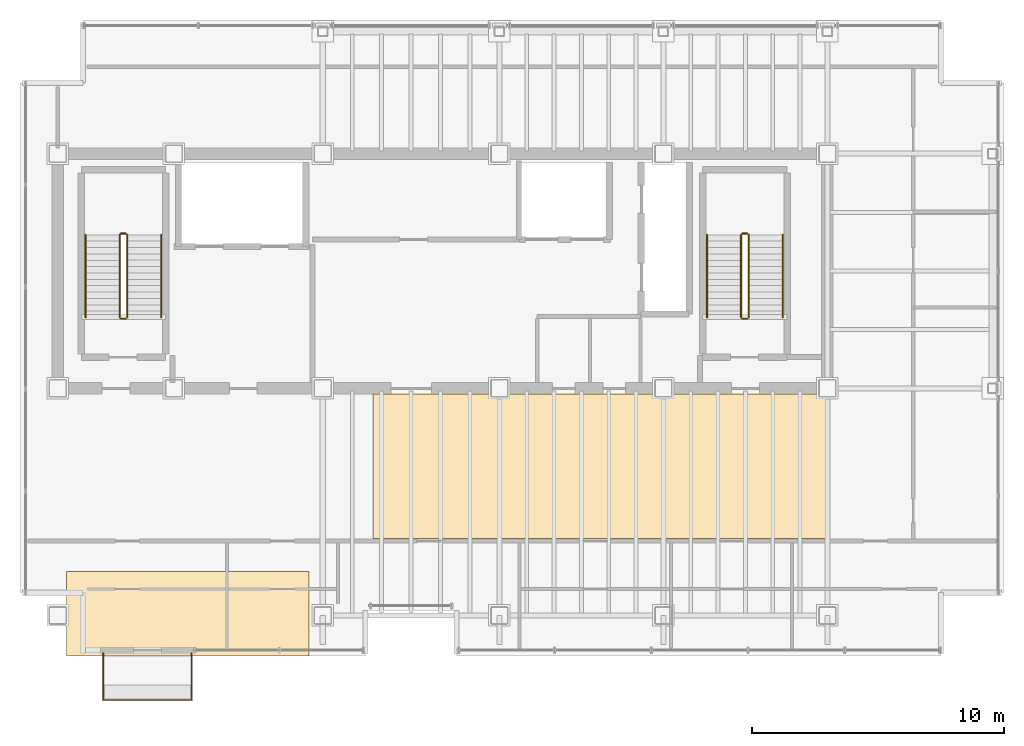
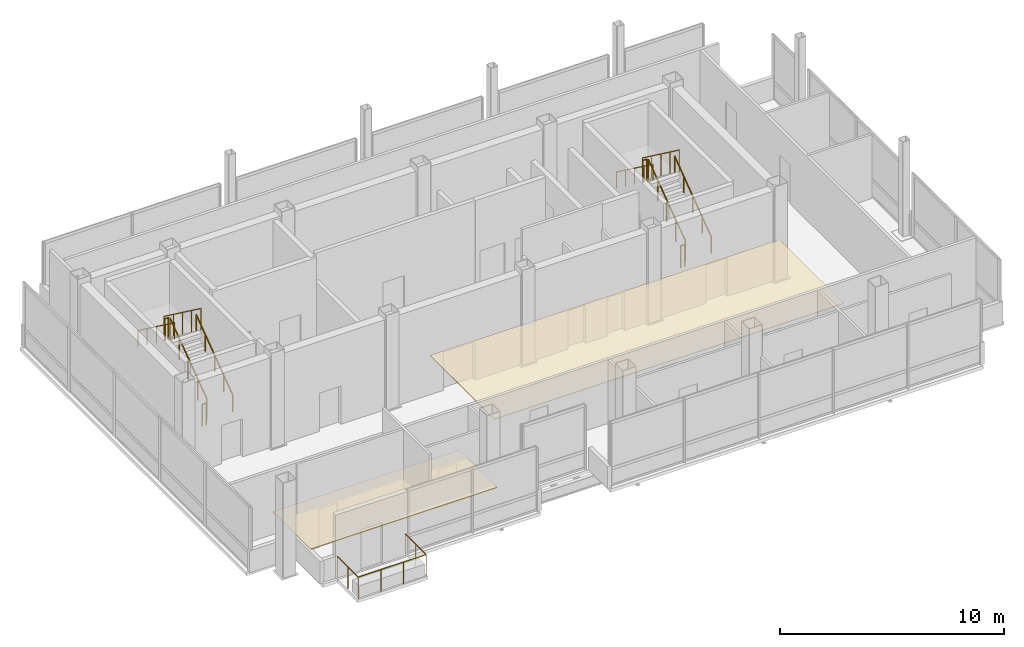
# One storey, part 17 of 17: 13 railings, 2 coverings.
"""IFC4 building model written with IfcOpenShell, lengths in metres."""

from ifc_helpers import new_model, si_unit, direction, frame, origin, origin_2d, place, context, subcontext, project, spatial, polyline, circle, outline, extrude, material, layer, layer_set, type_object, element, save


model = new_model("IFC4")

# Units and contexts
model_context = context("Model", 3, precision=1e-05, world=origin(), true_north=direction((0.0, 1.0)))
body_context = subcontext(model_context, "Body", "Model", "MODEL_VIEW")
ifc_project = project(units=[si_unit("LENGTHUNIT", "METRE"), si_unit("AREAUNIT", "SQUARE_METRE"), si_unit("VOLUMEUNIT", "CUBIC_METRE"), si_unit("PLANEANGLEUNIT", "RADIAN"), si_unit("MASSUNIT", "GRAM", prefix="KILO")], contexts=[model_context])

# Site, building, storey
site_placement = place(None, origin())
site = spatial("IfcSite", under=ifc_project, at=site_placement, CompositionType="ELEMENT")
building_placement = place(site_placement, origin())
building = spatial("IfcBuilding", under=site, at=building_placement, Name="Noeulbin Bourse Tower", CompositionType="ELEMENT")
storey_placement = place(building_placement, frame((0.0, 0.0, 300.800048828125)))
storey = spatial("IfcBuildingStorey", under=building, at=storey_placement, Name="L75", CompositionType="ELEMENT", Elevation=300.800048828125)

# Coverings
ifc_material_1 = material(Name="Perforated Mineral-Fibre Acoustic Tile")
ifc_layer_1 = layer(ifc_material_1, 0.0400390625)
ifc_layer_set_1 = layer_set([ifc_layer_1], Name="Perforated Mineral-Fibre Acoustic Tile")
covering_type_1 = type_object("IfcCoveringType", Name="COV-CEIL-ACT", PredefinedType="CEILING", material=ifc_layer_set_1)
covering_1_placement = place(storey_placement, frame((0.0, 0.0, 2.10986328125)))
element("IfcCovering", 1, at=covering_1_placement, inside=storey, type_object=covering_type_1, Name="Trading Suite Acoustic Ceiling L75", PredefinedType="CEILING", context=body_context, shape_type="SweptSolid", body=[
    extrude(outline(polyline([(13.85009765625, 18.39990234375), (23.449951171875, 18.39990234375), (23.449951171875, 21.75), (13.85009765625, 21.75), (13.85009765625, 18.39990234375)])), origin(), (0.0, 0.0, 1.0), 0.0400390625),
])
ifc_material_2 = material(Name="Linear Anodised Aluminium Baffle Ceiling", Category="aluminium")
ifc_layer_2 = layer(ifc_material_2, 0.050048828125)
ifc_layer_set_2 = layer_set([ifc_layer_2], Name="Linear Anodised Aluminium Baffle Ceiling")
covering_type_2 = type_object("IfcCoveringType", Name="COV-CEIL-MTL", PredefinedType="CEILING", material=ifc_layer_set_2)
covering_2_placement = place(storey_placement, frame((0.0, 0.0, 2.10986328125)))
element("IfcCovering", 2, at=covering_2_placement, inside=storey, type_object=covering_type_2, Name="Corridor Suspended Ceiling L75", PredefinedType="CEILING", context=body_context, shape_type="SweptSolid", body=[
    extrude(outline(polyline([(26.0, 23.050048828125), (44.0, 23.050048828125), (44.0, 28.780029296875), (26.0, 28.780029296875), (26.0, 23.050048828125)])), origin(), (0.0, 0.0, 1.0), 0.0400390625),
])

# Railings
ifc_material_3 = material(Name="Laminated SentryGlas and Stainless Steel 316", Category="steel")
ifc_layer_3 = layer(ifc_material_3, 0.06005859375)
ifc_layer_set_3 = layer_set([ifc_layer_3], Name="Laminated SentryGlas and Stainless Steel 316")
railing_type_1 = type_object("IfcRailingType", Name="RLG-BAL-1200", PredefinedType="BALUSTRADE", material=ifc_layer_set_3)
railing_1_placement = place(storey_placement, frame((15.300048828125, 18.52001953125, 0.0)))
element("IfcRailing", 3, at=railing_1_placement, inside=storey, type_object=railing_type_1, Name="Tree-Balcony Glazed Balustrade L75", PredefinedType="BALUSTRADE", context=body_context, shape_type="SweptSolid", body=[
    extrude(circle(Radius=0.02392578125, at=origin_2d()), frame((0.0, 0.0, 1.17578125), z_axis=(0.0, -1.0, 0.0), x_axis=(1.0, 0.0, 0.0)), (0.0, 0.0, 1.0), 1.8701171875),
    extrude(circle(Radius=0.02392578125, at=origin_2d()), frame((0.0, -1.8701171875, 1.17578125), z_axis=(1.0, 0.0, 0.0), x_axis=(0.0, 1.0, 0.0)), (0.0, 0.0, 1.0), 3.5),
    extrude(circle(Radius=0.02392578125, at=origin_2d()), frame((3.5, -1.8701171875, 1.17578125), z_axis=(0.0, 1.0, 0.0), x_axis=(-1.0, 0.0, 0.0)), (0.0, 0.0, 1.0), 1.8701171875),
    extrude(circle(Radius=0.02099609375, at=origin_2d()), origin(), (0.0, 0.0, 1.0), 1.15185546875),
    extrude(circle(Radius=0.02099609375, at=origin_2d()), frame((0.0, -0.93505859375, 0.0)), (0.0, 0.0, 1.0), 1.15185546875),
    extrude(circle(Radius=0.02099609375, at=origin_2d()), frame((0.0, -1.8701171875, 0.0)), (0.0, 0.0, 1.0), 1.15185546875),
    extrude(circle(Radius=0.02099609375, at=origin_2d()), frame((1.166748046875, -1.8701171875, 0.0)), (0.0, 0.0, 1.0), 1.15185546875),
    extrude(circle(Radius=0.02099609375, at=origin_2d()), frame((2.333251953125, -1.8701171875, 0.0)), (0.0, 0.0, 1.0), 1.15185546875),
    extrude(circle(Radius=0.02099609375, at=origin_2d()), frame((3.5, -1.8701171875, 0.0)), (0.0, 0.0, 1.0), 1.15185546875),
    extrude(circle(Radius=0.02099609375, at=origin_2d()), frame((3.5, -0.93505859375, 0.0)), (0.0, 0.0, 1.0), 1.15185546875),
    extrude(circle(Radius=0.02099609375, at=origin_2d()), frame((3.5, 0.0, 0.0)), (0.0, 0.0, 1.0), 1.15185546875),
])
ifc_material_4 = material(Name="Painted Tubular Steel S355", Category="steel")
ifc_layer_4 = layer(ifc_material_4, 0.048095703125)
ifc_layer_set_4 = layer_set([ifc_layer_4], Name="Painted Tubular Steel S355")
railing_type_2 = type_object("IfcRailingType", Name="RLG-STR-GRD", PredefinedType="GUARDRAIL", material=ifc_layer_set_4)
railing_2_placement = place(storey_placement, frame((16.25, 31.81005859375, 0.185546875)))
element("IfcRailing", 4, at=railing_2_placement, inside=storey, type_object=railing_type_2, Name="L75 ST-1 stair guard 1", PredefinedType="GUARDRAIL", context=body_context, shape_type="SweptSolid", body=[
    extrude(circle(Radius=0.02392578125, at=origin_2d()), frame((0.0, 0.0, 1.17578125), z_axis=(0.0, 0.804997024378, 0.593278847375), x_axis=(-1.0, 0.0, 0.0)), (0.0, 0.0, 1.0), 4.0693359375),
    extrude(circle(Radius=0.02099609375, at=origin_2d()), origin(), (0.0, 0.0, 1.0), 1.15185546875),
    extrude(circle(Radius=0.02099609375, at=origin_2d()), frame((0.0, 0.81884765625, 0.603515625)), (0.0, 0.0, 1.0), 1.15185546875),
    extrude(circle(Radius=0.02099609375, at=origin_2d()), frame((0.0, 1.637939453125, 1.20703125)), (0.0, 0.0, 1.0), 1.15185546875),
    extrude(circle(Radius=0.02099609375, at=origin_2d()), frame((0.0, 2.45703125, 1.810791015625)), (0.0, 0.0, 1.0), 1.15185546875),
    extrude(circle(Radius=0.02099609375, at=origin_2d()), frame((0.0, 3.27587890625, 2.414306640625)), (0.0, 0.0, 1.0), 1.15185546875),
])
railing_3_placement = place(storey_placement, frame((16.199951171875, 35.135986328125, 2.599853515625)))
element("IfcRailing", 5, at=railing_3_placement, inside=storey, type_object=railing_type_2, Name="L75 ST-1 stair guard 2", PredefinedType="GUARDRAIL", context=body_context, shape_type="SweptSolid", body=[
    extrude(circle(Radius=0.02392578125, at=origin_2d()), frame((0.0, 0.0, 1.17578125), z_axis=(-1.0, 0.0, 0.0), x_axis=(0.0, -1.0, 0.0)), (0.0, 0.0, 1.0), 0.199951171875),
    extrude(circle(Radius=0.02099609375, at=origin_2d()), origin(), (0.0, 0.0, 1.0), 1.15185546875),
    extrude(circle(Radius=0.02099609375, at=origin_2d()), frame((-0.199951171875, 0.0, 0.0)), (0.0, 0.0, 1.0), 1.15185546875),
])
railing_4_placement = place(storey_placement, frame((15.949951171875, 35.0859375, 2.78564453125)))
element("IfcRailing", 6, at=railing_4_placement, inside=storey, type_object=railing_type_2, Name="L75 ST-1 stair guard 3", PredefinedType="GUARDRAIL", context=body_context, shape_type="SweptSolid", body=[
    extrude(circle(Radius=0.02392578125, at=origin_2d()), frame((0.0, 0.0, 1.17578125), z_axis=(0.0, -0.804997024378, 0.593278847375), x_axis=(1.0, 0.0, 0.0)), (0.0, 0.0, 1.0), 4.0693359375),
    extrude(circle(Radius=0.02099609375, at=origin_2d()), origin(), (0.0, 0.0, 1.0), 1.15185546875),
    extrude(circle(Radius=0.02099609375, at=origin_2d()), frame((0.0, -0.81884765625, 0.603515625)), (0.0, 0.0, 1.0), 1.15185546875),
    extrude(circle(Radius=0.02099609375, at=origin_2d()), frame((0.0, -1.637939453125, 1.20703125)), (0.0, 0.0, 1.0), 1.15185546875),
    extrude(circle(Radius=0.02099609375, at=origin_2d()), frame((0.0, -2.45703125, 1.810791015625)), (0.0, 0.0, 1.0), 1.15185546875),
    extrude(circle(Radius=0.02099609375, at=origin_2d()), frame((0.0, -3.27587890625, 2.414306640625)), (0.0, 0.0, 1.0), 1.15185546875),
])
railing_5_placement = place(storey_placement, frame((16.199951171875, 31.760009765625, 0.0)))
element("IfcRailing", 7, at=railing_5_placement, inside=storey, type_object=railing_type_2, Name="L75 ST-1 stair guard 4", PredefinedType="GUARDRAIL", context=body_context, shape_type="SweptSolid", body=[
    extrude(circle(Radius=0.02392578125, at=origin_2d()), frame((0.0, 0.0, 1.17578125), z_axis=(-1.0, 0.0, 0.0), x_axis=(0.0, -1.0, 0.0)), (0.0, 0.0, 1.0), 0.199951171875),
    extrude(circle(Radius=0.02099609375, at=origin_2d()), origin(), (0.0, 0.0, 1.0), 1.15185546875),
    extrude(circle(Radius=0.02099609375, at=origin_2d()), frame((-0.199951171875, 0.0, 0.0)), (0.0, 0.0, 1.0), 1.15185546875),
])
railing_6_placement = place(storey_placement, frame((40.8798828125, 31.81005859375, 0.185546875)))
element("IfcRailing", 8, at=railing_6_placement, inside=storey, type_object=railing_type_2, Name="L75 ST-2 stair guard 1", PredefinedType="GUARDRAIL", context=body_context, shape_type="SweptSolid", body=[
    extrude(circle(Radius=0.02392578125, at=origin_2d()), frame((0.0, 0.0, 1.17578125), z_axis=(0.0, 0.804997024378, 0.593278847375), x_axis=(-1.0, 0.0, 0.0)), (0.0, 0.0, 1.0), 4.0693359375),
    extrude(circle(Radius=0.02099609375, at=origin_2d()), origin(), (0.0, 0.0, 1.0), 1.15185546875),
    extrude(circle(Radius=0.02099609375, at=origin_2d()), frame((0.0, 0.81884765625, 0.603515625)), (0.0, 0.0, 1.0), 1.15185546875),
    extrude(circle(Radius=0.02099609375, at=origin_2d()), frame((0.0, 1.637939453125, 1.20703125)), (0.0, 0.0, 1.0), 1.15185546875),
    extrude(circle(Radius=0.02099609375, at=origin_2d()), frame((0.0, 2.45703125, 1.810791015625)), (0.0, 0.0, 1.0), 1.15185546875),
    extrude(circle(Radius=0.02099609375, at=origin_2d()), frame((0.0, 3.27587890625, 2.414306640625)), (0.0, 0.0, 1.0), 1.15185546875),
])
railing_7_placement = place(storey_placement, frame((40.830078125, 35.135986328125, 2.599853515625)))
element("IfcRailing", 9, at=railing_7_placement, inside=storey, type_object=railing_type_2, Name="L75 ST-2 stair guard 2", PredefinedType="GUARDRAIL", context=body_context, shape_type="SweptSolid", body=[
    extrude(circle(Radius=0.02392578125, at=origin_2d()), frame((0.0, 0.0, 1.17578125), z_axis=(-1.0, 0.0, 0.0), x_axis=(0.0, -1.0, 0.0)), (0.0, 0.0, 1.0), 0.2001953125),
    extrude(circle(Radius=0.02099609375, at=origin_2d()), origin(), (0.0, 0.0, 1.0), 1.15185546875),
    extrude(circle(Radius=0.02099609375, at=origin_2d()), frame((-0.2001953125, 0.0, 0.0)), (0.0, 0.0, 1.0), 1.15185546875),
])
railing_8_placement = place(storey_placement, frame((40.580078125, 35.0859375, 2.78564453125)))
element("IfcRailing", 10, at=railing_8_placement, inside=storey, type_object=railing_type_2, Name="L75 ST-2 stair guard 3", PredefinedType="GUARDRAIL", context=body_context, shape_type="SweptSolid", body=[
    extrude(circle(Radius=0.02392578125, at=origin_2d()), frame((0.0, 0.0, 1.17578125), z_axis=(0.0, -0.804997024378, 0.593278847375), x_axis=(1.0, 0.0, 0.0)), (0.0, 0.0, 1.0), 4.0693359375),
    extrude(circle(Radius=0.02099609375, at=origin_2d()), origin(), (0.0, 0.0, 1.0), 1.15185546875),
    extrude(circle(Radius=0.02099609375, at=origin_2d()), frame((0.0, -0.81884765625, 0.603515625)), (0.0, 0.0, 1.0), 1.15185546875),
    extrude(circle(Radius=0.02099609375, at=origin_2d()), frame((0.0, -1.637939453125, 1.20703125)), (0.0, 0.0, 1.0), 1.15185546875),
    extrude(circle(Radius=0.02099609375, at=origin_2d()), frame((0.0, -2.45703125, 1.810791015625)), (0.0, 0.0, 1.0), 1.15185546875),
    extrude(circle(Radius=0.02099609375, at=origin_2d()), frame((0.0, -3.27587890625, 2.414306640625)), (0.0, 0.0, 1.0), 1.15185546875),
])
railing_9_placement = place(storey_placement, frame((40.830078125, 31.760009765625, 0.0)))
element("IfcRailing", 11, at=railing_9_placement, inside=storey, type_object=railing_type_2, Name="L75 ST-2 stair guard 4", PredefinedType="GUARDRAIL", context=body_context, shape_type="SweptSolid", body=[
    extrude(circle(Radius=0.02392578125, at=origin_2d()), frame((0.0, 0.0, 1.17578125), z_axis=(-1.0, 0.0, 0.0), x_axis=(0.0, -1.0, 0.0)), (0.0, 0.0, 1.0), 0.2001953125),
    extrude(circle(Radius=0.02099609375, at=origin_2d()), origin(), (0.0, 0.0, 1.0), 1.15185546875),
    extrude(circle(Radius=0.02099609375, at=origin_2d()), frame((-0.2001953125, 0.0, 0.0)), (0.0, 0.0, 1.0), 1.15185546875),
])
ifc_material_5 = material(Name="Brushed Stainless Steel 316", Category="steel")
ifc_layer_5 = layer(ifc_material_5, 0.048095703125)
ifc_layer_set_5 = layer_set([ifc_layer_5], Name="Brushed Stainless Steel 316")
railing_type_3 = type_object("IfcRailingType", Name="RLG-STR-HND", PredefinedType="HANDRAIL", material=ifc_layer_set_5)
railing_10_placement = place(storey_placement, frame((17.60009765625, 31.81005859375, 0.185546875)))
element("IfcRailing", 12, at=railing_10_placement, inside=storey, type_object=railing_type_3, Name="L75 ST-1 stair handrail 1", PredefinedType="HANDRAIL", context=body_context, shape_type="SweptSolid", body=[
    extrude(circle(Radius=0.02392578125, at=origin_2d()), frame((0.0, 0.0, 0.8759765625), z_axis=(0.0, 0.804997024378, 0.593278847375), x_axis=(-1.0, 0.0, 0.0)), (0.0, 0.0, 1.0), 4.0693359375),
    extrude(circle(Radius=0.02099609375, at=origin_2d()), origin(), (0.0, 0.0, 1.0), 0.851806640625),
    extrude(circle(Radius=0.02099609375, at=origin_2d()), frame((0.0, 0.81884765625, 0.603515625)), (0.0, 0.0, 1.0), 0.851806640625),
    extrude(circle(Radius=0.02099609375, at=origin_2d()), frame((0.0, 1.637939453125, 1.20703125)), (0.0, 0.0, 1.0), 0.851806640625),
    extrude(circle(Radius=0.02099609375, at=origin_2d()), frame((0.0, 2.45703125, 1.810791015625)), (0.0, 0.0, 1.0), 0.851806640625),
    extrude(circle(Radius=0.02099609375, at=origin_2d()), frame((0.0, 3.27587890625, 2.414306640625)), (0.0, 0.0, 1.0), 0.851806640625),
])
railing_11_placement = place(storey_placement, frame((14.60009765625, 35.0859375, 2.78564453125)))
element("IfcRailing", 13, at=railing_11_placement, inside=storey, type_object=railing_type_3, Name="L75 ST-1 stair handrail 2", PredefinedType="HANDRAIL", context=body_context, shape_type="SweptSolid", body=[
    extrude(circle(Radius=0.02392578125, at=origin_2d()), frame((0.0, 0.0, 0.8759765625), z_axis=(0.0, -0.804997024378, 0.593278847375), x_axis=(1.0, 0.0, 0.0)), (0.0, 0.0, 1.0), 4.0693359375),
    extrude(circle(Radius=0.02099609375, at=origin_2d()), origin(), (0.0, 0.0, 1.0), 0.851806640625),
    extrude(circle(Radius=0.02099609375, at=origin_2d()), frame((0.0, -0.81884765625, 0.603515625)), (0.0, 0.0, 1.0), 0.851806640625),
    extrude(circle(Radius=0.02099609375, at=origin_2d()), frame((0.0, -1.637939453125, 1.20703125)), (0.0, 0.0, 1.0), 0.851806640625),
    extrude(circle(Radius=0.02099609375, at=origin_2d()), frame((0.0, -2.45703125, 1.810791015625)), (0.0, 0.0, 1.0), 0.851806640625),
    extrude(circle(Radius=0.02099609375, at=origin_2d()), frame((0.0, -3.27587890625, 2.414306640625)), (0.0, 0.0, 1.0), 0.851806640625),
])
railing_12_placement = place(storey_placement, frame((42.22998046875, 31.81005859375, 0.185546875)))
element("IfcRailing", 14, at=railing_12_placement, inside=storey, type_object=railing_type_3, Name="L75 ST-2 stair handrail 1", PredefinedType="HANDRAIL", context=body_context, shape_type="SweptSolid", body=[
    extrude(circle(Radius=0.02392578125, at=origin_2d()), frame((0.0, 0.0, 0.8759765625), z_axis=(0.0, 0.804997024378, 0.593278847375), x_axis=(-1.0, 0.0, 0.0)), (0.0, 0.0, 1.0), 4.0693359375),
    extrude(circle(Radius=0.02099609375, at=origin_2d()), origin(), (0.0, 0.0, 1.0), 0.851806640625),
    extrude(circle(Radius=0.02099609375, at=origin_2d()), frame((0.0, 0.81884765625, 0.603515625)), (0.0, 0.0, 1.0), 0.851806640625),
    extrude(circle(Radius=0.02099609375, at=origin_2d()), frame((0.0, 1.637939453125, 1.20703125)), (0.0, 0.0, 1.0), 0.851806640625),
    extrude(circle(Radius=0.02099609375, at=origin_2d()), frame((0.0, 2.45703125, 1.810791015625)), (0.0, 0.0, 1.0), 0.851806640625),
    extrude(circle(Radius=0.02099609375, at=origin_2d()), frame((0.0, 3.27587890625, 2.414306640625)), (0.0, 0.0, 1.0), 0.851806640625),
])
railing_13_placement = place(storey_placement, frame((39.22998046875, 35.0859375, 2.78564453125)))
element("IfcRailing", 15, at=railing_13_placement, inside=storey, type_object=railing_type_3, Name="L75 ST-2 stair handrail 2", PredefinedType="HANDRAIL", context=body_context, shape_type="SweptSolid", body=[
    extrude(circle(Radius=0.02392578125, at=origin_2d()), frame((0.0, 0.0, 0.8759765625), z_axis=(0.0, -0.804997024378, 0.593278847375), x_axis=(1.0, 0.0, 0.0)), (0.0, 0.0, 1.0), 4.0693359375),
    extrude(circle(Radius=0.02099609375, at=origin_2d()), origin(), (0.0, 0.0, 1.0), 0.851806640625),
    extrude(circle(Radius=0.02099609375, at=origin_2d()), frame((0.0, -0.81884765625, 0.603515625)), (0.0, 0.0, 1.0), 0.851806640625),
    extrude(circle(Radius=0.02099609375, at=origin_2d()), frame((0.0, -1.637939453125, 1.20703125)), (0.0, 0.0, 1.0), 0.851806640625),
    extrude(circle(Radius=0.02099609375, at=origin_2d()), frame((0.0, -2.45703125, 1.810791015625)), (0.0, 0.0, 1.0), 0.851806640625),
    extrude(circle(Radius=0.02099609375, at=origin_2d()), frame((0.0, -3.27587890625, 2.414306640625)), (0.0, 0.0, 1.0), 0.851806640625),
])

save(model, "model.ifc")
